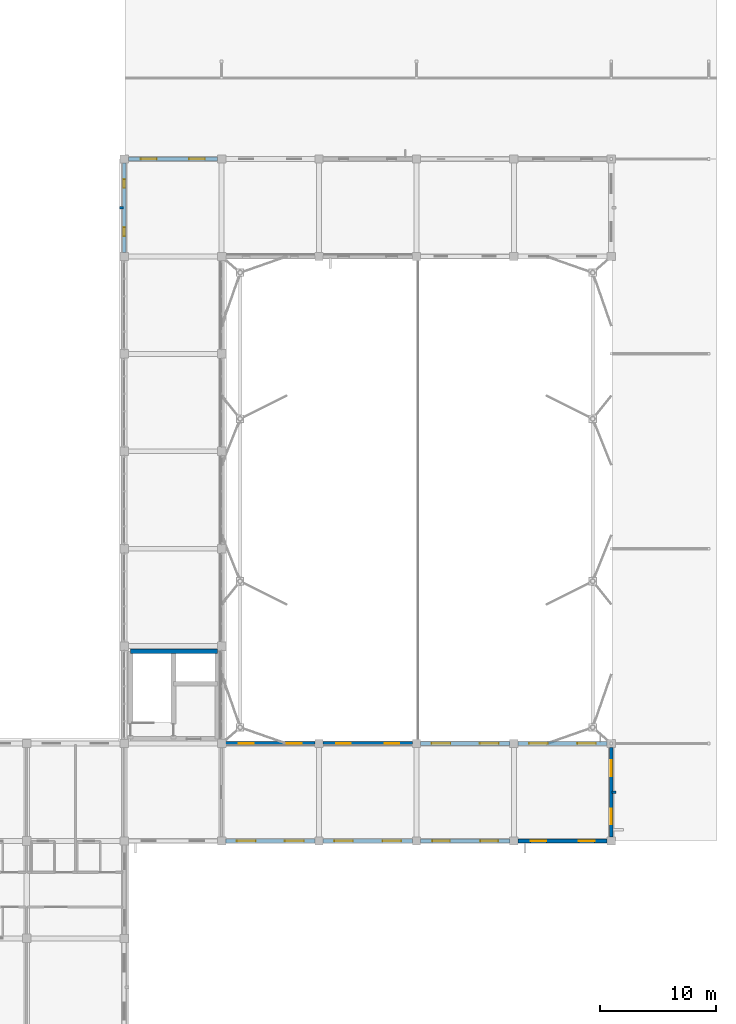
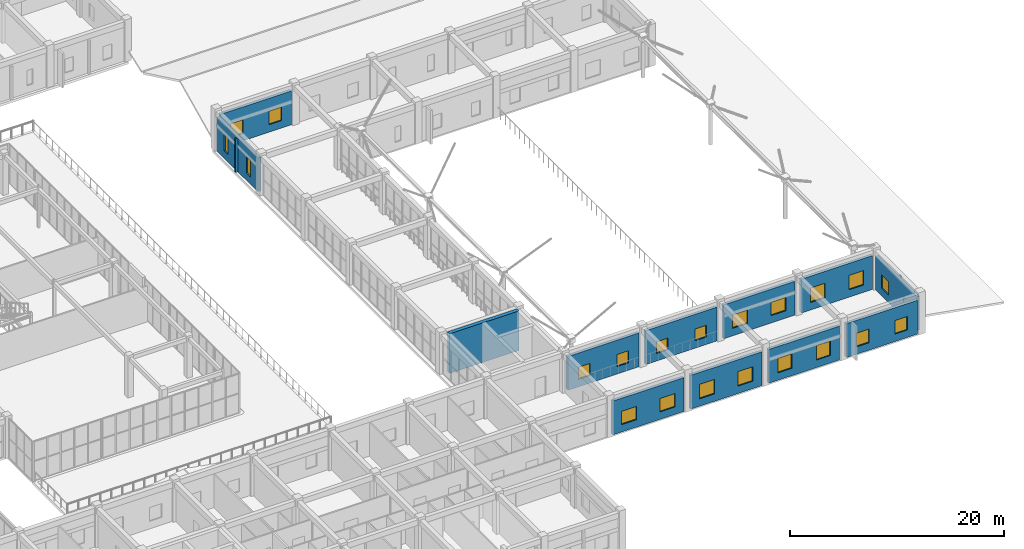
# One storey, part 136 of 158: 22 windows, 14 walls, 22 openings.
"""IFC4 building model written with IfcOpenShell, lengths in metres."""

from ifc_helpers import new_model, si_unit, direction, frame, frame_2d, origin, place, context, subcontext, project, spatial, rectangle, extrude, material, layer, layer_set, type_object, element, fill, save


model = new_model("IFC4")

# Units and contexts
model_context = context("Model", 3, precision=1e-05, world=origin(), true_north=direction((0.0, 1.0)))
body_context = subcontext(model_context, "Body", "Model", "MODEL_VIEW")
ifc_project = project(units=[si_unit("LENGTHUNIT", "METRE"), si_unit("AREAUNIT", "SQUARE_METRE"), si_unit("VOLUMEUNIT", "CUBIC_METRE"), si_unit("PLANEANGLEUNIT", "RADIAN"), si_unit("MASSUNIT", "GRAM", prefix="KILO")], contexts=[model_context])

# Site, building, storey
site_placement = place(None, origin())
site = spatial("IfcSite", under=ifc_project, at=site_placement, CompositionType="ELEMENT")
building_placement = place(site_placement, origin())
building = spatial("IfcBuilding", under=site, at=building_placement, Name="Trelvath General Hospital", CompositionType="ELEMENT")
storey_placement = place(building_placement, frame((0.0, 0.0, 8.10009765625)))
storey = spatial("IfcBuildingStorey", under=building, at=storey_placement, Name="L02", CompositionType="ELEMENT", Elevation=8.10009765625)

# Walls
ifc_material_1 = material(Name="Precast concrete C40/50", Category="concrete")
ifc_layer_1 = layer(ifc_material_1, 0.199951171875)
ifc_layer_set_1 = layer_set([ifc_layer_1], Name="Precast concrete C40/50")
wall_type_1 = type_object("IfcWallType", Name="BriseSoleilRib 200", PredefinedType="ELEMENTEDWALL", material=ifc_layer_set_1)
for number, where, z_axis, x_axis, name in (
    (1, (134.324951171875, 71.39990234375, 0.0), (0.0, 0.0, 1.0), (-1.0, 0.0, 0.0), "Precast Concrete Brise-Soleil Rib Fin L02-223"),
    (2, (176.47509765625, 21.0, 0.0), (0.0, 0.0, 1.0), (1.0, 0.0, 0.0), "Precast Concrete Brise-Soleil Rib Fin L02-224"),
):
    element("IfcWall", number, at=place(storey_placement, frame(where, z_axis=z_axis, x_axis=x_axis)), inside=storey, type_object=wall_type_1, Name=name, PredefinedType="ELEMENTEDWALL", context=body_context, shape_type="SweptSolid", body=[
        extrude(rectangle(XDim=0.33984375, YDim=0.199951171875, at=frame_2d((0.169921875, 0.0))), origin(), (0.0, 0.0, 1.0), 3.83984375),
    ])
ifc_material_2 = material(Name="Concrete C40/50", Category="concrete")
ifc_layer_2 = layer(ifc_material_2, 0.39990234375)
ifc_layer_set_2 = layer_set([ifc_layer_2], Name="Concrete C40/50")
wall_type_2 = type_object("IfcWallType", Name="CoreShearWall 400", PredefinedType="SHEAR", material=ifc_layer_set_2)
wall_1_placement = place(storey_placement, frame((134.949951171875, 33.14990234375, 0.0), z_axis=(0.0, 0.0, 1.0), x_axis=(1.0, 0.0, 0.0)))
element("IfcWall", 3, at=wall_1_placement, inside=storey, type_object=wall_type_2, Name="Core Shear Wall C7 N L02", PredefinedType="SHEAR", context=body_context, shape_type="SweptSolid", body=[
    extrude(rectangle(XDim=7.5, YDim=0.39990234375, at=frame_2d((3.75, 0.0))), origin(), (0.0, 0.0, 1.0), 4.52001953125),
])

# Wall, openings, windows
ifc_material_3 = material(Name="Concrete C35/45", Category="concrete")
ifc_layer_3 = layer(ifc_material_3, 0.320068359375)
ifc_layer_set_3 = layer_set([ifc_layer_3], Name="Concrete C35/45")
wall_type_3 = type_object("IfcWallType", Name="ExtThermalWall 320", PredefinedType="SOLIDWALL", material=ifc_layer_set_3)
wall_2_placement = place(storey_placement, frame((134.7548828125, 75.60009765625, 0.0), z_axis=(0.0, 0.0, 1.0), x_axis=(1.0, 0.0, 0.0)))
wall_2 = element("IfcWall", 4, at=wall_2_placement, inside=storey, type_object=wall_type_3, Name="Exterior Concrete Wall L02-306", PredefinedType="SOLIDWALL", context=body_context, shape_type="SweptSolid", body=[
    extrude(rectangle(XDim=7.690185546875, YDim=0.320068359375, at=frame_2d((3.84521484375, 0.0))), origin(), (0.0, 0.0, 1.0), 3.85986328125),
])
opening_1_placement = place(wall_2_placement, frame((1.09375, 0.0, 0.85009765625)))
opening_1 = element("IfcOpeningElement", 5, at=opening_1_placement, cuts=wall_2, Name="Opening WN-2-489", PredefinedType="OPENING", context=body_context, shape_type="SweptSolid", body=[
    extrude(rectangle(XDim=1.35009765625, YDim=1.550048828125, at=frame_2d((0.675048828125, 0.77490234375))), frame((0.0, 0.169921875, 0.0), z_axis=(0.0, -1.0, 0.0), x_axis=(1.0, 0.0, 0.0)), (0.0, 0.0, 1.0), 0.340087890625),
])
opening_2_placement = place(wall_2_placement, frame((5.246337890625, 0.0, 0.85009765625)))
opening_2 = element("IfcOpeningElement", 6, at=opening_2_placement, cuts=wall_2, Name="Opening WN-2-490", PredefinedType="OPENING", context=body_context, shape_type="SweptSolid", body=[
    extrude(rectangle(XDim=1.35009765625, YDim=1.550048828125, at=frame_2d((0.675048828125, 0.77490234375))), frame((0.0, 0.169921875, 0.0), z_axis=(0.0, -1.0, 0.0), x_axis=(1.0, 0.0, 0.0)), (0.0, 0.0, 1.0), 0.340087890625),
])
ifc_material_4 = material(Name="Low-E laminated glass", Category="glass")
window_type_1 = type_object("IfcWindowType", Name="Window WardSouth 1350x1550", PartitioningType="SINGLE_PANEL", PredefinedType="WINDOW", material=ifc_material_4)
window_1_placement = place(opening_1_placement, origin())
window_1 = element("IfcWindow", 7, at=window_1_placement, inside=storey, type_object=window_type_1, Name="Solar Reveal Window L02-489", OverallHeight=1.550048828125, OverallWidth=1.35009765625, PartitioningType="SINGLE_PANEL", PredefinedType="WINDOW", context=body_context, shape_type="SweptSolid", body=[
    extrude(rectangle(XDim=1.35009765625, YDim=1.550048828125, at=frame_2d((0.675048828125, 0.77490234375))), frame((0.0, 0.030029296875, 0.0), z_axis=(0.0, -1.0, 0.0), x_axis=(1.0, 0.0, 0.0)), (0.0, 0.0, 1.0), 0.06005859375),
])
fill(opening_1, window_1)
window_2_placement = place(opening_2_placement, origin())
window_2 = element("IfcWindow", 8, at=window_2_placement, inside=storey, type_object=window_type_1, Name="Solar Reveal Window L02-490", OverallHeight=1.550048828125, OverallWidth=1.35009765625, PartitioningType="SINGLE_PANEL", PredefinedType="WINDOW", context=body_context, shape_type="SweptSolid", body=[
    extrude(rectangle(XDim=1.35009765625, YDim=1.550048828125, at=frame_2d((0.675048828125, 0.77490234375))), frame((0.0, 0.030029296875, 0.0), z_axis=(0.0, -1.0, 0.0), x_axis=(1.0, 0.0, 0.0)), (0.0, 0.0, 1.0), 0.06005859375),
])
fill(opening_2, window_2)

wall_3_placement = place(storey_placement, frame((134.39990234375, 67.554931640625, 0.0), z_axis=(0.0, 0.0, 1.0), x_axis=(0.0, 1.0, 0.0)))
wall_3 = element("IfcWall", 9, at=wall_3_placement, inside=storey, type_object=wall_type_3, Name="Exterior Concrete Wall L02-307", PredefinedType="SOLIDWALL", context=body_context, shape_type="SweptSolid", body=[
    extrude(rectangle(XDim=7.690185546875, YDim=0.320068359375, at=frame_2d((3.84521484375, 0.0))), origin(), (0.0, 0.0, 1.0), 3.85986328125),
])
opening_3_placement = place(wall_3_placement, frame((1.393798828125, 0.0, 0.85009765625)))
opening_3 = element("IfcOpeningElement", 10, at=opening_3_placement, cuts=wall_3, Name="Opening WN-2-491", PredefinedType="OPENING", context=body_context, shape_type="SweptSolid", body=[
    extrude(rectangle(XDim=0.75, YDim=1.85009765625, at=frame_2d((0.375, 0.925048828125))), frame((0.0, 0.169921875, 0.0), z_axis=(0.0, -1.0, 0.0), x_axis=(1.0, 0.0, 0.0)), (0.0, 0.0, 1.0), 0.340087890625),
])
opening_4_placement = place(wall_3_placement, frame((5.54638671875, 0.0, 0.85009765625)))
opening_4 = element("IfcOpeningElement", 11, at=opening_4_placement, cuts=wall_3, Name="Opening WN-2-492", PredefinedType="OPENING", context=body_context, shape_type="SweptSolid", body=[
    extrude(rectangle(XDim=0.75, YDim=1.85009765625, at=frame_2d((0.375, 0.925048828125))), frame((0.0, 0.169921875, 0.0), z_axis=(0.0, -1.0, 0.0), x_axis=(1.0, 0.0, 0.0)), (0.0, 0.0, 1.0), 0.340087890625),
])
ifc_material_5 = material(Name="Low-E laminated glass", Category="glass")
window_type_2 = type_object("IfcWindowType", Name="Window SunSlot 750x1850", PartitioningType="SINGLE_PANEL", PredefinedType="WINDOW", material=ifc_material_5)
window_3_placement = place(opening_3_placement, origin())
window_3 = element("IfcWindow", 12, at=window_3_placement, inside=storey, type_object=window_type_2, Name="Solar Reveal Window L02-491", OverallHeight=1.85009765625, OverallWidth=0.75, PartitioningType="SINGLE_PANEL", PredefinedType="WINDOW", context=body_context, shape_type="SweptSolid", body=[
    extrude(rectangle(XDim=0.75, YDim=1.85009765625, at=frame_2d((0.375, 0.925048828125))), frame((0.0, 0.030029296875, 0.0), z_axis=(0.0, -1.0, 0.0), x_axis=(1.0, 0.0, 0.0)), (0.0, 0.0, 1.0), 0.06005859375),
])
fill(opening_3, window_3)
window_4_placement = place(opening_4_placement, origin())
window_4 = element("IfcWindow", 13, at=window_4_placement, inside=storey, type_object=window_type_2, Name="Solar Reveal Window L02-492", OverallHeight=1.85009765625, OverallWidth=0.75, PartitioningType="SINGLE_PANEL", PredefinedType="WINDOW", context=body_context, shape_type="SweptSolid", body=[
    extrude(rectangle(XDim=0.75, YDim=1.85009765625, at=frame_2d((0.375, 0.925048828125))), frame((0.0, 0.030029296875, 0.0), z_axis=(0.0, -1.0, 0.0), x_axis=(1.0, 0.0, 0.0)), (0.0, 0.0, 1.0), 0.06005859375),
])
fill(opening_4, window_4)

wall_4_placement = place(storey_placement, frame((150.844970703125, 16.800048828125, 0.0), z_axis=(0.0, 0.0, 1.0), x_axis=(-1.0, 0.0, 0.0)))
wall_4 = element("IfcWall", 14, at=wall_4_placement, inside=storey, type_object=wall_type_3, Name="Exterior Concrete Wall L02-308", PredefinedType="SOLIDWALL", context=body_context, shape_type="SweptSolid", body=[
    extrude(rectangle(XDim=7.68994140625, YDim=0.320068359375, at=frame_2d((3.844970703125, 0.0))), origin(), (0.0, 0.0, 1.0), 3.85986328125),
])
opening_5_placement = place(wall_4_placement, frame((0.958740234375, 0.0, 0.85009765625)))
opening_5 = element("IfcOpeningElement", 15, at=opening_5_placement, cuts=wall_4, Name="Opening WN-2-493", PredefinedType="OPENING", context=body_context, shape_type="SweptSolid", body=[
    extrude(rectangle(XDim=1.6201171875, YDim=1.52001953125, at=frame_2d((0.81005859375, 0.760009765625))), frame((0.0, 0.169921875, 0.0), z_axis=(0.0, -1.0, 0.0), x_axis=(1.0, 0.0, 0.0)), (0.0, 0.0, 1.0), 0.340087890625),
])
opening_6_placement = place(wall_4_placement, frame((5.111328125, 0.0, 0.85009765625)))
opening_6 = element("IfcOpeningElement", 16, at=opening_6_placement, cuts=wall_4, Name="Opening WN-2-494", PredefinedType="OPENING", context=body_context, shape_type="SweptSolid", body=[
    extrude(rectangle(XDim=1.6201171875, YDim=1.52001953125, at=frame_2d((0.81005859375, 0.760009765625))), frame((0.0, 0.169921875, 0.0), z_axis=(0.0, -1.0, 0.0), x_axis=(1.0, 0.0, 0.0)), (0.0, 0.0, 1.0), 0.340087890625),
])
ifc_material_6 = material(Name="Low-E laminated glass", Category="glass")
window_type_3 = type_object("IfcWindowType", Name="Window Triage 1620x1520", PartitioningType="DOUBLE_PANEL_VERTICAL", PredefinedType="WINDOW", material=ifc_material_6)
window_5_placement = place(opening_5_placement, origin())
window_5 = element("IfcWindow", 17, at=window_5_placement, inside=storey, type_object=window_type_3, Name="Solar Reveal Window L02-493", OverallHeight=1.52001953125, OverallWidth=1.6201171875, PartitioningType="SINGLE_PANEL", PredefinedType="WINDOW", context=body_context, shape_type="SweptSolid", body=[
    extrude(rectangle(XDim=1.6201171875, YDim=1.52001953125, at=frame_2d((0.81005859375, 0.760009765625))), frame((0.0, 0.030029296875, 0.0), z_axis=(0.0, -1.0, 0.0), x_axis=(1.0, 0.0, 0.0)), (0.0, 0.0, 1.0), 0.06005859375),
])
fill(opening_5, window_5)
window_6_placement = place(opening_6_placement, origin())
window_6 = element("IfcWindow", 18, at=window_6_placement, inside=storey, type_object=window_type_3, Name="Solar Reveal Window L02-494", OverallHeight=1.52001953125, OverallWidth=1.6201171875, PartitioningType="SINGLE_PANEL", PredefinedType="WINDOW", context=body_context, shape_type="SweptSolid", body=[
    extrude(rectangle(XDim=1.6201171875, YDim=1.52001953125, at=frame_2d((0.81005859375, 0.760009765625))), frame((0.0, 0.030029296875, 0.0), z_axis=(0.0, -1.0, 0.0), x_axis=(1.0, 0.0, 0.0)), (0.0, 0.0, 1.0), 0.06005859375),
])
fill(opening_6, window_6)

wall_5_placement = place(storey_placement, frame((143.155029296875, 25.199951171875, 0.0), z_axis=(0.0, 0.0, 1.0), x_axis=(1.0, 0.0, 0.0)))
wall_5 = element("IfcWall", 19, at=wall_5_placement, inside=storey, type_object=wall_type_3, Name="Exterior Concrete Wall L02-309", PredefinedType="SOLIDWALL", context=body_context, shape_type="SweptSolid", body=[
    extrude(rectangle(XDim=7.68994140625, YDim=0.320068359375, at=frame_2d((3.844970703125, 0.0))), origin(), (0.0, 0.0, 1.0), 3.85986328125),
])
opening_7_placement = place(wall_5_placement, frame((1.128662109375, 0.0, 0.85009765625)))
opening_7 = element("IfcOpeningElement", 20, at=opening_7_placement, cuts=wall_5, Name="Opening WN-2-495", PredefinedType="OPENING", context=body_context, shape_type="SweptSolid", body=[
    extrude(rectangle(XDim=1.280029296875, YDim=1.3798828125, at=frame_2d((0.64013671875, 0.68994140625))), frame((0.0, 0.169921875, 0.0), z_axis=(0.0, -1.0, 0.0), x_axis=(1.0, 0.0, 0.0)), (0.0, 0.0, 1.0), 0.340087890625),
])
opening_8_placement = place(wall_5_placement, frame((5.28125, 0.0, 0.85009765625)))
opening_8 = element("IfcOpeningElement", 21, at=opening_8_placement, cuts=wall_5, Name="Opening WN-2-496", PredefinedType="OPENING", context=body_context, shape_type="SweptSolid", body=[
    extrude(rectangle(XDim=1.280029296875, YDim=1.3798828125, at=frame_2d((0.64013671875, 0.68994140625))), frame((0.0, 0.169921875, 0.0), z_axis=(0.0, -1.0, 0.0), x_axis=(1.0, 0.0, 0.0)), (0.0, 0.0, 1.0), 0.340087890625),
])
ifc_material_7 = material(Name="Low-E laminated glass", Category="glass")
window_type_4 = type_object("IfcWindowType", Name="Window Telemetry 1280x1380", PartitioningType="DOUBLE_PANEL_VERTICAL", PredefinedType="WINDOW", material=ifc_material_7)
window_7_placement = place(opening_7_placement, origin())
window_7 = element("IfcWindow", 22, at=window_7_placement, inside=storey, type_object=window_type_4, Name="Solar Reveal Window L02-495", OverallHeight=1.3798828125, OverallWidth=1.280029296875, PartitioningType="SINGLE_PANEL", PredefinedType="WINDOW", context=body_context, shape_type="SweptSolid", body=[
    extrude(rectangle(XDim=1.280029296875, YDim=1.3798828125, at=frame_2d((0.64013671875, 0.68994140625))), frame((0.0, 0.030029296875, 0.0), z_axis=(0.0, -1.0, 0.0), x_axis=(1.0, 0.0, 0.0)), (0.0, 0.0, 1.0), 0.06005859375),
])
fill(opening_7, window_7)
window_8_placement = place(opening_8_placement, origin())
window_8 = element("IfcWindow", 23, at=window_8_placement, inside=storey, type_object=window_type_4, Name="Solar Reveal Window L02-496", OverallHeight=1.3798828125, OverallWidth=1.280029296875, PartitioningType="SINGLE_PANEL", PredefinedType="WINDOW", context=body_context, shape_type="SweptSolid", body=[
    extrude(rectangle(XDim=1.280029296875, YDim=1.3798828125, at=frame_2d((0.64013671875, 0.68994140625))), frame((0.0, 0.030029296875, 0.0), z_axis=(0.0, -1.0, 0.0), x_axis=(1.0, 0.0, 0.0)), (0.0, 0.0, 1.0), 0.06005859375),
])
fill(opening_8, window_8)

wall_6_placement = place(storey_placement, frame((159.2451171875, 16.800048828125, 0.0), z_axis=(0.0, 0.0, 1.0), x_axis=(-1.0, 0.0, 0.0)))
wall_6 = element("IfcWall", 24, at=wall_6_placement, inside=storey, type_object=wall_type_3, Name="Exterior Concrete Wall L02-312", PredefinedType="SOLIDWALL", context=body_context, shape_type="SweptSolid", body=[
    extrude(rectangle(XDim=7.690185546875, YDim=0.320068359375, at=frame_2d((3.84521484375, 0.0))), origin(), (0.0, 0.0, 1.0), 3.85986328125),
])
opening_9_placement = place(wall_6_placement, frame((0.96875, 0.0, 0.85009765625)))
opening_9 = element("IfcOpeningElement", 25, at=opening_9_placement, cuts=wall_6, Name="Opening WN-2-501", PredefinedType="OPENING", context=body_context, shape_type="SweptSolid", body=[
    extrude(rectangle(XDim=1.60009765625, YDim=1.64990234375, at=frame_2d((0.800048828125, 0.824951171875))), frame((0.0, 0.169921875, 0.0), z_axis=(0.0, -1.0, 0.0), x_axis=(1.0, 0.0, 0.0)), (0.0, 0.0, 1.0), 0.340087890625),
])
opening_10_placement = place(wall_6_placement, frame((5.121337890625, 0.0, 0.85009765625)))
opening_10 = element("IfcOpeningElement", 26, at=opening_10_placement, cuts=wall_6, Name="Opening WN-2-502", PredefinedType="OPENING", context=body_context, shape_type="SweptSolid", body=[
    extrude(rectangle(XDim=1.60009765625, YDim=1.64990234375, at=frame_2d((0.800048828125, 0.824951171875))), frame((0.0, 0.169921875, 0.0), z_axis=(0.0, -1.0, 0.0), x_axis=(1.0, 0.0, 0.0)), (0.0, 0.0, 1.0), 0.340087890625),
])
ifc_material_8 = material(Name="Low-E laminated glass", Category="glass")
window_type_5 = type_object("IfcWindowType", Name="Window WardNorth 1600x1650", PartitioningType="DOUBLE_PANEL_VERTICAL", PredefinedType="WINDOW", material=ifc_material_8)
window_9_placement = place(opening_9_placement, origin())
window_9 = element("IfcWindow", 27, at=window_9_placement, inside=storey, type_object=window_type_5, Name="Solar Reveal Window L02-501", OverallHeight=1.64990234375, OverallWidth=1.60009765625, PartitioningType="SINGLE_PANEL", PredefinedType="WINDOW", context=body_context, shape_type="SweptSolid", body=[
    extrude(rectangle(XDim=1.60009765625, YDim=1.64990234375, at=frame_2d((0.800048828125, 0.824951171875))), frame((0.0, 0.030029296875, 0.0), z_axis=(0.0, -1.0, 0.0), x_axis=(1.0, 0.0, 0.0)), (0.0, 0.0, 1.0), 0.06005859375),
])
fill(opening_9, window_9)
window_10_placement = place(opening_10_placement, origin())
window_10 = element("IfcWindow", 28, at=window_10_placement, inside=storey, type_object=window_type_5, Name="Solar Reveal Window L02-502", OverallHeight=1.64990234375, OverallWidth=1.60009765625, PartitioningType="SINGLE_PANEL", PredefinedType="WINDOW", context=body_context, shape_type="SweptSolid", body=[
    extrude(rectangle(XDim=1.60009765625, YDim=1.64990234375, at=frame_2d((0.800048828125, 0.824951171875))), frame((0.0, 0.030029296875, 0.0), z_axis=(0.0, -1.0, 0.0), x_axis=(1.0, 0.0, 0.0)), (0.0, 0.0, 1.0), 0.06005859375),
])
fill(opening_10, window_10)

wall_7_placement = place(storey_placement, frame((151.554931640625, 25.199951171875, 0.0), z_axis=(0.0, 0.0, 1.0), x_axis=(1.0, 0.0, 0.0)))
wall_7 = element("IfcWall", 29, at=wall_7_placement, inside=storey, type_object=wall_type_3, Name="Exterior Concrete Wall L02-313", PredefinedType="SOLIDWALL", context=body_context, shape_type="SweptSolid", body=[
    extrude(rectangle(XDim=7.690185546875, YDim=0.320068359375, at=frame_2d((3.84521484375, 0.0))), origin(), (0.0, 0.0, 1.0), 3.85986328125),
])
opening_11_placement = place(wall_7_placement, frame((1.148681640625, 0.0, 0.85009765625)))
opening_11 = element("IfcOpeningElement", 30, at=opening_11_placement, cuts=wall_7, Name="Opening WN-2-503", PredefinedType="OPENING", context=body_context, shape_type="SweptSolid", body=[
    extrude(rectangle(XDim=1.239990234375, YDim=1.340087890625, at=frame_2d((0.6201171875, 0.669921875))), frame((0.0, 0.169921875, 0.0), z_axis=(0.0, -1.0, 0.0), x_axis=(1.0, 0.0, 0.0)), (0.0, 0.0, 1.0), 0.340087890625),
])
opening_12_placement = place(wall_7_placement, frame((5.30126953125, 0.0, 0.85009765625)))
opening_12 = element("IfcOpeningElement", 31, at=opening_12_placement, cuts=wall_7, Name="Opening WN-2-504", PredefinedType="OPENING", context=body_context, shape_type="SweptSolid", body=[
    extrude(rectangle(XDim=1.239990234375, YDim=1.340087890625, at=frame_2d((0.6201171875, 0.669921875))), frame((0.0, 0.169921875, 0.0), z_axis=(0.0, -1.0, 0.0), x_axis=(1.0, 0.0, 0.0)), (0.0, 0.0, 1.0), 0.340087890625),
])
ifc_material_9 = material(Name="Low-E laminated glass", Category="glass")
window_type_6 = type_object("IfcWindowType", Name="Window Pharmacy 1240x1340", PartitioningType="DOUBLE_PANEL_VERTICAL", PredefinedType="WINDOW", material=ifc_material_9)
window_11_placement = place(opening_11_placement, origin())
window_11 = element("IfcWindow", 32, at=window_11_placement, inside=storey, type_object=window_type_6, Name="Solar Reveal Window L02-503", OverallHeight=1.340087890625, OverallWidth=1.239990234375, PartitioningType="SINGLE_PANEL", PredefinedType="WINDOW", context=body_context, shape_type="SweptSolid", body=[
    extrude(rectangle(XDim=1.239990234375, YDim=1.340087890625, at=frame_2d((0.6201171875, 0.669921875))), frame((0.0, 0.030029296875, 0.0), z_axis=(0.0, -1.0, 0.0), x_axis=(1.0, 0.0, 0.0)), (0.0, 0.0, 1.0), 0.06005859375),
])
fill(opening_11, window_11)
window_12_placement = place(opening_12_placement, origin())
window_12 = element("IfcWindow", 33, at=window_12_placement, inside=storey, type_object=window_type_6, Name="Solar Reveal Window L02-504", OverallHeight=1.340087890625, OverallWidth=1.239990234375, PartitioningType="SINGLE_PANEL", PredefinedType="WINDOW", context=body_context, shape_type="SweptSolid", body=[
    extrude(rectangle(XDim=1.239990234375, YDim=1.340087890625, at=frame_2d((0.6201171875, 0.669921875))), frame((0.0, 0.030029296875, 0.0), z_axis=(0.0, -1.0, 0.0), x_axis=(1.0, 0.0, 0.0)), (0.0, 0.0, 1.0), 0.06005859375),
])
fill(opening_12, window_12)

wall_8_placement = place(storey_placement, frame((167.64501953125, 16.800048828125, 0.0), z_axis=(0.0, 0.0, 1.0), x_axis=(-1.0, 0.0, 0.0)))
wall_8 = element("IfcWall", 34, at=wall_8_placement, inside=storey, type_object=wall_type_3, Name="Exterior Concrete Wall L02-316", PredefinedType="SOLIDWALL", context=body_context, shape_type="SweptSolid", body=[
    extrude(rectangle(XDim=7.68994140625, YDim=0.320068359375, at=frame_2d((3.844970703125, 0.0))), origin(), (0.0, 0.0, 1.0), 3.85986328125),
])
opening_13_placement = place(wall_8_placement, frame((1.0087890625, 0.0, 0.85009765625)))
opening_13 = element("IfcOpeningElement", 35, at=opening_13_placement, cuts=wall_8, Name="Opening WN-2-509", PredefinedType="OPENING", context=body_context, shape_type="SweptSolid", body=[
    extrude(rectangle(XDim=1.52001953125, YDim=1.64990234375, at=frame_2d((0.760009765625, 0.824951171875))), frame((0.0, 0.169921875, 0.0), z_axis=(0.0, -1.0, 0.0), x_axis=(1.0, 0.0, 0.0)), (0.0, 0.0, 1.0), 0.340087890625),
])
opening_14_placement = place(wall_8_placement, frame((5.161376953125, 0.0, 0.85009765625)))
opening_14 = element("IfcOpeningElement", 36, at=opening_14_placement, cuts=wall_8, Name="Opening WN-2-510", PredefinedType="OPENING", context=body_context, shape_type="SweptSolid", body=[
    extrude(rectangle(XDim=1.52001953125, YDim=1.64990234375, at=frame_2d((0.760009765625, 0.824951171875))), frame((0.0, 0.169921875, 0.0), z_axis=(0.0, -1.0, 0.0), x_axis=(1.0, 0.0, 0.0)), (0.0, 0.0, 1.0), 0.340087890625),
])
ifc_material_10 = material(Name="Low-E laminated glass", Category="glass")
window_type_7 = type_object("IfcWindowType", Name="Window WardNorth 1520x1650", PartitioningType="DOUBLE_PANEL_VERTICAL", PredefinedType="WINDOW", material=ifc_material_10)
window_13_placement = place(opening_13_placement, origin())
window_13 = element("IfcWindow", 37, at=window_13_placement, inside=storey, type_object=window_type_7, Name="Solar Reveal Window L02-509", OverallHeight=1.64990234375, OverallWidth=1.52001953125, PartitioningType="SINGLE_PANEL", PredefinedType="WINDOW", context=body_context, shape_type="SweptSolid", body=[
    extrude(rectangle(XDim=1.52001953125, YDim=1.64990234375, at=frame_2d((0.760009765625, 0.824951171875))), frame((0.0, 0.030029296875, 0.0), z_axis=(0.0, -1.0, 0.0), x_axis=(1.0, 0.0, 0.0)), (0.0, 0.0, 1.0), 0.06005859375),
])
fill(opening_13, window_13)
window_14_placement = place(opening_14_placement, origin())
window_14 = element("IfcWindow", 38, at=window_14_placement, inside=storey, type_object=window_type_7, Name="Solar Reveal Window L02-510", OverallHeight=1.64990234375, OverallWidth=1.52001953125, PartitioningType="SINGLE_PANEL", PredefinedType="WINDOW", context=body_context, shape_type="SweptSolid", body=[
    extrude(rectangle(XDim=1.52001953125, YDim=1.64990234375, at=frame_2d((0.760009765625, 0.824951171875))), frame((0.0, 0.030029296875, 0.0), z_axis=(0.0, -1.0, 0.0), x_axis=(1.0, 0.0, 0.0)), (0.0, 0.0, 1.0), 0.06005859375),
])
fill(opening_14, window_14)

wall_9_placement = place(storey_placement, frame((159.955078125, 25.199951171875, 0.0), z_axis=(0.0, 0.0, 1.0), x_axis=(1.0, 0.0, 0.0)))
wall_9 = element("IfcWall", 39, at=wall_9_placement, inside=storey, type_object=wall_type_3, Name="Exterior Concrete Wall L02-317", PredefinedType="SOLIDWALL", context=body_context, shape_type="SweptSolid", body=[
    extrude(rectangle(XDim=7.68994140625, YDim=0.320068359375, at=frame_2d((3.844970703125, 0.0))), origin(), (0.0, 0.0, 1.0), 3.85986328125),
])
opening_15_placement = place(wall_9_placement, frame((0.958740234375, 0.0, 0.85009765625)))
opening_15 = element("IfcOpeningElement", 40, at=opening_15_placement, cuts=wall_9, Name="Opening WN-2-511", PredefinedType="OPENING", context=body_context, shape_type="SweptSolid", body=[
    extrude(rectangle(XDim=1.6201171875, YDim=1.52001953125, at=frame_2d((0.81005859375, 0.760009765625))), frame((0.0, 0.169921875, 0.0), z_axis=(0.0, -1.0, 0.0), x_axis=(1.0, 0.0, 0.0)), (0.0, 0.0, 1.0), 0.340087890625),
])
opening_16_placement = place(wall_9_placement, frame((5.111328125, 0.0, 0.85009765625)))
opening_16 = element("IfcOpeningElement", 41, at=opening_16_placement, cuts=wall_9, Name="Opening WN-2-512", PredefinedType="OPENING", context=body_context, shape_type="SweptSolid", body=[
    extrude(rectangle(XDim=1.6201171875, YDim=1.52001953125, at=frame_2d((0.81005859375, 0.760009765625))), frame((0.0, 0.169921875, 0.0), z_axis=(0.0, -1.0, 0.0), x_axis=(1.0, 0.0, 0.0)), (0.0, 0.0, 1.0), 0.340087890625),
])
window_15_placement = place(opening_15_placement, origin())
window_15 = element("IfcWindow", 42, at=window_15_placement, inside=storey, type_object=window_type_3, Name="Solar Reveal Window L02-511", OverallHeight=1.52001953125, OverallWidth=1.6201171875, PartitioningType="SINGLE_PANEL", PredefinedType="WINDOW", context=body_context, shape_type="SweptSolid", body=[
    extrude(rectangle(XDim=1.6201171875, YDim=1.52001953125, at=frame_2d((0.81005859375, 0.760009765625))), frame((0.0, 0.030029296875, 0.0), z_axis=(0.0, -1.0, 0.0), x_axis=(1.0, 0.0, 0.0)), (0.0, 0.0, 1.0), 0.06005859375),
])
fill(opening_15, window_15)
window_16_placement = place(opening_16_placement, origin())
window_16 = element("IfcWindow", 43, at=window_16_placement, inside=storey, type_object=window_type_3, Name="Solar Reveal Window L02-512", OverallHeight=1.52001953125, OverallWidth=1.6201171875, PartitioningType="SINGLE_PANEL", PredefinedType="WINDOW", context=body_context, shape_type="SweptSolid", body=[
    extrude(rectangle(XDim=1.6201171875, YDim=1.52001953125, at=frame_2d((0.81005859375, 0.760009765625))), frame((0.0, 0.030029296875, 0.0), z_axis=(0.0, -1.0, 0.0), x_axis=(1.0, 0.0, 0.0)), (0.0, 0.0, 1.0), 0.06005859375),
])
fill(opening_16, window_16)

wall_10_placement = place(storey_placement, frame((176.044921875, 16.800048828125, 0.0), z_axis=(0.0, 0.0, 1.0), x_axis=(-1.0, 0.0, 0.0)))
wall_10 = element("IfcWall", 44, at=wall_10_placement, inside=storey, type_object=wall_type_3, Name="Exterior Concrete Wall L02-320", PredefinedType="SOLIDWALL", context=body_context, shape_type="SweptSolid", body=[
    extrude(rectangle(XDim=7.68994140625, YDim=0.320068359375, at=frame_2d((3.844970703125, 0.0))), origin(), (0.0, 0.0, 1.0), 3.85986328125),
])
opening_17_placement = place(wall_10_placement, frame((1.09375, 0.0, 0.85009765625)))
opening_17 = element("IfcOpeningElement", 45, at=opening_17_placement, cuts=wall_10, Name="Opening WN-2-517", PredefinedType="OPENING", context=body_context, shape_type="SweptSolid", body=[
    extrude(rectangle(XDim=1.35009765625, YDim=1.550048828125, at=frame_2d((0.675048828125, 0.77490234375))), frame((0.0, 0.169921875, 0.0), z_axis=(0.0, -1.0, 0.0), x_axis=(1.0, 0.0, 0.0)), (0.0, 0.0, 1.0), 0.340087890625),
])
opening_18_placement = place(wall_10_placement, frame((5.246337890625, 0.0, 0.85009765625)))
opening_18 = element("IfcOpeningElement", 46, at=opening_18_placement, cuts=wall_10, Name="Opening WN-2-518", PredefinedType="OPENING", context=body_context, shape_type="SweptSolid", body=[
    extrude(rectangle(XDim=1.35009765625, YDim=1.550048828125, at=frame_2d((0.675048828125, 0.77490234375))), frame((0.0, 0.169921875, 0.0), z_axis=(0.0, -1.0, 0.0), x_axis=(1.0, 0.0, 0.0)), (0.0, 0.0, 1.0), 0.340087890625),
])
window_17_placement = place(opening_17_placement, origin())
window_17 = element("IfcWindow", 47, at=window_17_placement, inside=storey, type_object=window_type_1, Name="Solar Reveal Window L02-517", OverallHeight=1.550048828125, OverallWidth=1.35009765625, PartitioningType="SINGLE_PANEL", PredefinedType="WINDOW", context=body_context, shape_type="SweptSolid", body=[
    extrude(rectangle(XDim=1.35009765625, YDim=1.550048828125, at=frame_2d((0.675048828125, 0.77490234375))), frame((0.0, 0.030029296875, 0.0), z_axis=(0.0, -1.0, 0.0), x_axis=(1.0, 0.0, 0.0)), (0.0, 0.0, 1.0), 0.06005859375),
])
fill(opening_17, window_17)
window_18_placement = place(opening_18_placement, origin())
window_18 = element("IfcWindow", 48, at=window_18_placement, inside=storey, type_object=window_type_1, Name="Solar Reveal Window L02-518", OverallHeight=1.550048828125, OverallWidth=1.35009765625, PartitioningType="SINGLE_PANEL", PredefinedType="WINDOW", context=body_context, shape_type="SweptSolid", body=[
    extrude(rectangle(XDim=1.35009765625, YDim=1.550048828125, at=frame_2d((0.675048828125, 0.77490234375))), frame((0.0, 0.030029296875, 0.0), z_axis=(0.0, -1.0, 0.0), x_axis=(1.0, 0.0, 0.0)), (0.0, 0.0, 1.0), 0.06005859375),
])
fill(opening_18, window_18)

wall_11_placement = place(storey_placement, frame((168.35498046875, 25.199951171875, 0.0), z_axis=(0.0, 0.0, 1.0), x_axis=(1.0, 0.0, 0.0)))
wall_11 = element("IfcWall", 49, at=wall_11_placement, inside=storey, type_object=wall_type_3, Name="Exterior Concrete Wall L02-321", PredefinedType="SOLIDWALL", context=body_context, shape_type="SweptSolid", body=[
    extrude(rectangle(XDim=7.68994140625, YDim=0.320068359375, at=frame_2d((3.844970703125, 0.0))), origin(), (0.0, 0.0, 1.0), 3.85986328125),
])
opening_19_placement = place(wall_11_placement, frame((0.96875, 0.0, 0.85009765625)))
opening_19 = element("IfcOpeningElement", 50, at=opening_19_placement, cuts=wall_11, Name="Opening WN-2-519", PredefinedType="OPENING", context=body_context, shape_type="SweptSolid", body=[
    extrude(rectangle(XDim=1.60009765625, YDim=1.64990234375, at=frame_2d((0.800048828125, 0.824951171875))), frame((0.0, 0.169921875, 0.0), z_axis=(0.0, -1.0, 0.0), x_axis=(1.0, 0.0, 0.0)), (0.0, 0.0, 1.0), 0.340087890625),
])
opening_20_placement = place(wall_11_placement, frame((5.121337890625, 0.0, 0.85009765625)))
opening_20 = element("IfcOpeningElement", 51, at=opening_20_placement, cuts=wall_11, Name="Opening WN-2-520", PredefinedType="OPENING", context=body_context, shape_type="SweptSolid", body=[
    extrude(rectangle(XDim=1.60009765625, YDim=1.64990234375, at=frame_2d((0.800048828125, 0.824951171875))), frame((0.0, 0.169921875, 0.0), z_axis=(0.0, -1.0, 0.0), x_axis=(1.0, 0.0, 0.0)), (0.0, 0.0, 1.0), 0.340087890625),
])
window_19_placement = place(opening_19_placement, origin())
window_19 = element("IfcWindow", 52, at=window_19_placement, inside=storey, type_object=window_type_5, Name="Solar Reveal Window L02-519", OverallHeight=1.64990234375, OverallWidth=1.60009765625, PartitioningType="SINGLE_PANEL", PredefinedType="WINDOW", context=body_context, shape_type="SweptSolid", body=[
    extrude(rectangle(XDim=1.60009765625, YDim=1.64990234375, at=frame_2d((0.800048828125, 0.824951171875))), frame((0.0, 0.030029296875, 0.0), z_axis=(0.0, -1.0, 0.0), x_axis=(1.0, 0.0, 0.0)), (0.0, 0.0, 1.0), 0.06005859375),
])
fill(opening_19, window_19)
window_20_placement = place(opening_20_placement, origin())
window_20 = element("IfcWindow", 53, at=window_20_placement, inside=storey, type_object=window_type_5, Name="Solar Reveal Window L02-520", OverallHeight=1.64990234375, OverallWidth=1.60009765625, PartitioningType="SINGLE_PANEL", PredefinedType="WINDOW", context=body_context, shape_type="SweptSolid", body=[
    extrude(rectangle(XDim=1.60009765625, YDim=1.64990234375, at=frame_2d((0.800048828125, 0.824951171875))), frame((0.0, 0.030029296875, 0.0), z_axis=(0.0, -1.0, 0.0), x_axis=(1.0, 0.0, 0.0)), (0.0, 0.0, 1.0), 0.06005859375),
])
fill(opening_20, window_20)

wall_12_placement = place(storey_placement, frame((176.39990234375, 24.844970703125, 0.0), z_axis=(0.0, 0.0, 1.0), x_axis=(0.0, -1.0, 0.0)))
wall_12 = element("IfcWall", 54, at=wall_12_placement, inside=storey, type_object=wall_type_3, Name="Exterior Concrete Wall L02-322", PredefinedType="SOLIDWALL", context=body_context, shape_type="SweptSolid", body=[
    extrude(rectangle(XDim=7.68994140625, YDim=0.320068359375, at=frame_2d((3.844970703125, 0.0))), origin(), (0.0, 0.0, 1.0), 3.85986328125),
])
opening_21_placement = place(wall_12_placement, frame((1.09375, 0.0, 0.85009765625)))
opening_21 = element("IfcOpeningElement", 55, at=opening_21_placement, cuts=wall_12, Name="Opening WN-2-521", PredefinedType="OPENING", context=body_context, shape_type="SweptSolid", body=[
    extrude(rectangle(XDim=1.35009765625, YDim=1.550048828125, at=frame_2d((0.675048828125, 0.77490234375))), frame((0.0, 0.169921875, 0.0), z_axis=(0.0, -1.0, 0.0), x_axis=(1.0, 0.0, 0.0)), (0.0, 0.0, 1.0), 0.340087890625),
])
opening_22_placement = place(wall_12_placement, frame((5.246337890625, 0.0, 0.85009765625)))
opening_22 = element("IfcOpeningElement", 56, at=opening_22_placement, cuts=wall_12, Name="Opening WN-2-522", PredefinedType="OPENING", context=body_context, shape_type="SweptSolid", body=[
    extrude(rectangle(XDim=1.35009765625, YDim=1.550048828125, at=frame_2d((0.675048828125, 0.77490234375))), frame((0.0, 0.169921875, 0.0), z_axis=(0.0, -1.0, 0.0), x_axis=(1.0, 0.0, 0.0)), (0.0, 0.0, 1.0), 0.340087890625),
])
window_21_placement = place(opening_21_placement, origin())
window_21 = element("IfcWindow", 57, at=window_21_placement, inside=storey, type_object=window_type_1, Name="Solar Reveal Window L02-521", OverallHeight=1.550048828125, OverallWidth=1.35009765625, PartitioningType="SINGLE_PANEL", PredefinedType="WINDOW", context=body_context, shape_type="SweptSolid", body=[
    extrude(rectangle(XDim=1.35009765625, YDim=1.550048828125, at=frame_2d((0.675048828125, 0.77490234375))), frame((0.0, 0.030029296875, 0.0), z_axis=(0.0, -1.0, 0.0), x_axis=(1.0, 0.0, 0.0)), (0.0, 0.0, 1.0), 0.06005859375),
])
fill(opening_21, window_21)
window_22_placement = place(opening_22_placement, origin())
window_22 = element("IfcWindow", 58, at=window_22_placement, inside=storey, type_object=window_type_1, Name="Solar Reveal Window L02-522", OverallHeight=1.550048828125, OverallWidth=1.35009765625, PartitioningType="SINGLE_PANEL", PredefinedType="WINDOW", context=body_context, shape_type="SweptSolid", body=[
    extrude(rectangle(XDim=1.35009765625, YDim=1.550048828125, at=frame_2d((0.675048828125, 0.77490234375))), frame((0.0, 0.030029296875, 0.0), z_axis=(0.0, -1.0, 0.0), x_axis=(1.0, 0.0, 0.0)), (0.0, 0.0, 1.0), 0.06005859375),
])
fill(opening_22, window_22)

save(model, "model.ifc")
